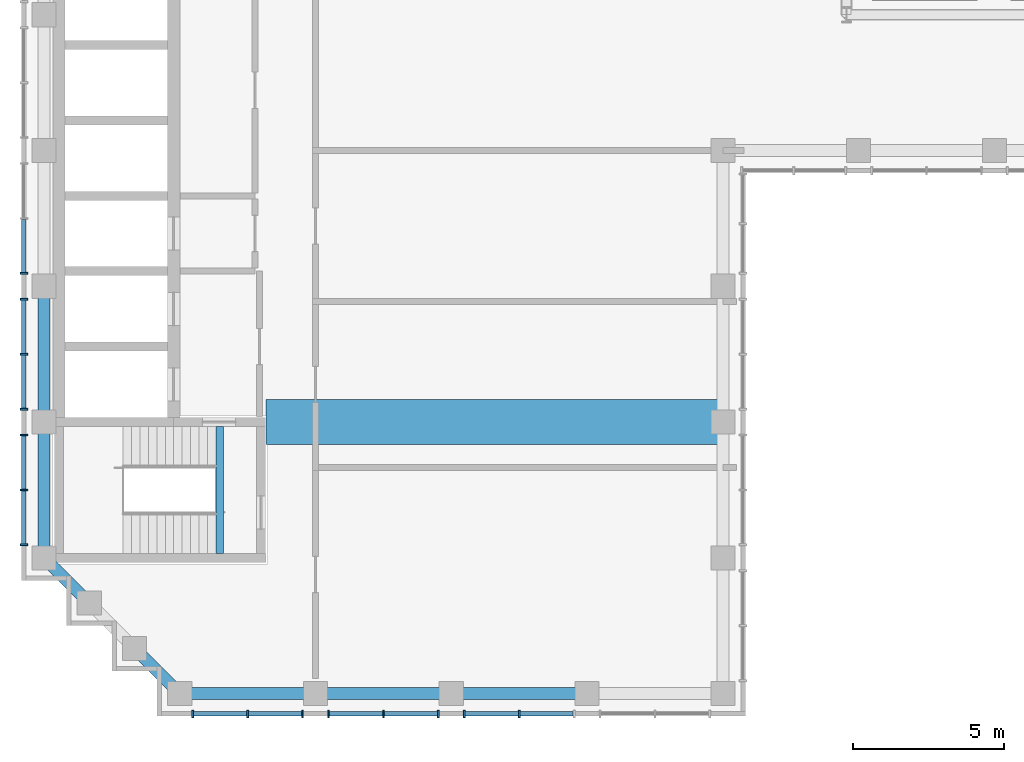
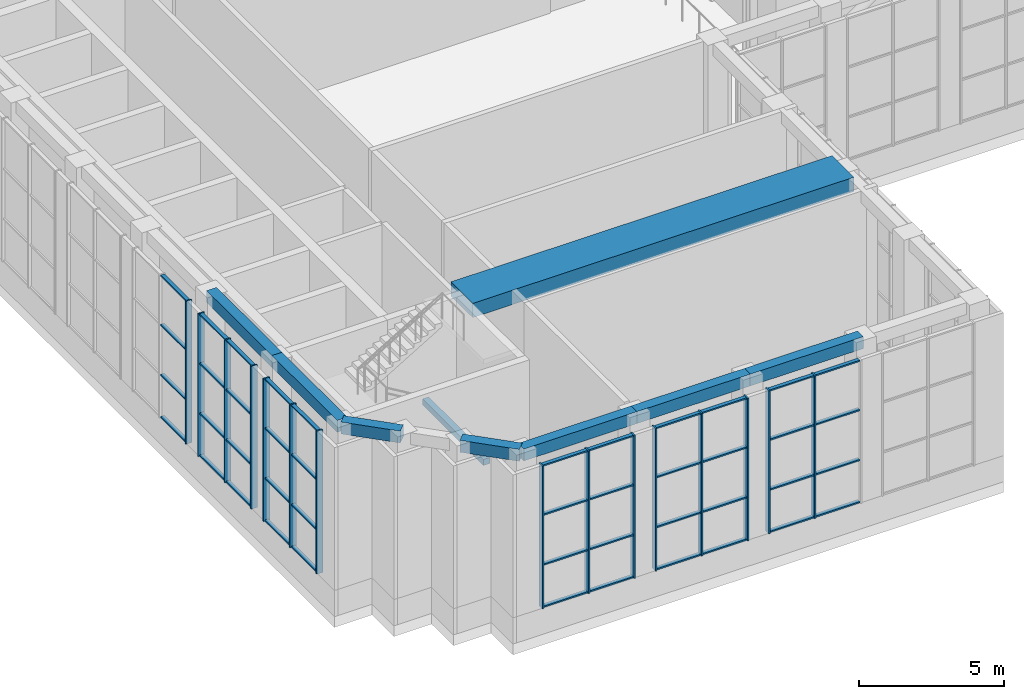
# One storey, part 2 of 17: 59 members, 9 beams, 6 elements without a shape of their own.
"""IFC4 building model written with IfcOpenShell, lengths in metres."""

from ifc_helpers import new_model, si_unit, direction, frame, origin, origin_2d, place, context, subcontext, project, spatial, rectangle, extrude, material, material_profile, profile_set, type_object, element, aggregate, save


model = new_model("IFC4")

# Units and contexts
model_context = context("Model", 3, precision=1e-05, world=origin(), true_north=direction((0.0, 1.0)))
body_context = subcontext(model_context, "Body", "Model", "MODEL_VIEW")
ifc_project = project(units=[si_unit("LENGTHUNIT", "METRE"), si_unit("AREAUNIT", "SQUARE_METRE"), si_unit("VOLUMEUNIT", "CUBIC_METRE"), si_unit("PLANEANGLEUNIT", "RADIAN"), si_unit("MASSUNIT", "GRAM", prefix="KILO")], contexts=[model_context])

# Site, building, storey
site_placement = place(None, origin())
site = spatial("IfcSite", under=ifc_project, at=site_placement, CompositionType="ELEMENT")
building_placement = place(site_placement, origin())
building = spatial("IfcBuilding", under=site, at=building_placement, Name="Firuza Court", CompositionType="ELEMENT")
storey_placement = place(building_placement, frame((0.0, 0.0, 258.199951171875)))
storey = spatial("IfcBuildingStorey", under=building, at=storey_placement, Name="L67", CompositionType="ELEMENT", Elevation=258.199951171875)

# Beams
ifc_material_1 = material(Name="Concrete C40/50", Category="concrete")
ifc_material_profile_1 = material_profile(ifc_material_1, rectangle(XDim=1.5, YDim=0.60009765625, at=origin_2d()), Name="RC 1500x600")
ifc_profile_set_1 = profile_set([ifc_material_profile_1], Name="Concrete C40/50")
beam_type_1 = type_object("IfcBeamType", Name="Band beam RC 1500x600 C40/50", PredefinedType="BEAM", material=ifc_profile_set_1)
beam_1_placement = place(storey_placement, frame((22.5, 27.0, 7.300048828125), z_axis=(-1.0, 0.0, 0.0), x_axis=(0.0, -1.0, 0.0)))
element("IfcBeam", 1, at=beam_1_placement, inside=storey, type_object=beam_type_1, Name="Band beam FB3 level L68", PredefinedType="BEAM", context=body_context, shape_type="SweptSolid", body=[
    extrude(rectangle(XDim=1.5, YDim=0.60009765625, at=origin_2d()), origin(), (0.0, 0.0, 1.0), 15.14990234375),
])
ifc_material_2 = material(Name="Concrete C40/50", Category="concrete")
ifc_material_profile_2 = material_profile(ifc_material_2, rectangle(XDim=0.25, YDim=0.25, at=origin_2d()), Name="RC 250x250")
ifc_profile_set_2 = profile_set([ifc_material_profile_2], Name="Concrete C40/50")
beam_type_2 = type_object("IfcBeamType", Name="Landing beam RC 250x250 C40/50", PredefinedType="BEAM", material=ifc_profile_set_2)
beam_2_placement = place(storey_placement, frame((5.824951171875, 22.64990234375, 3.675048828125), z_axis=(0.0, 1.0, 0.0), x_axis=(-1.0, 0.0, 0.0)))
element("IfcBeam", 2, at=beam_2_placement, inside=storey, type_object=beam_type_2, Name="Landing beam S2 L67", PredefinedType="BEAM", context=body_context, shape_type="SweptSolid", body=[
    extrude(rectangle(XDim=0.25, YDim=0.25, at=origin_2d()), origin(), (0.0, 0.0, 1.0), 4.2001953125),
])

# Curtain wall, members
ifc_material_3 = material(Name="Aluminium curtain wall, triple clear glazing", Category="aluminium")
curtain_wall_type = type_object("IfcCurtainWallType", Name="Damper hall structural glazing CW4", PredefinedType="NOTDEFINED", material=ifc_material_3)
curtain_wall_1_placement = place(storey_placement, origin())
curtain_wall_1 = element("IfcCurtainWall", 3, at=curtain_wall_1_placement, inside=storey, type_object=curtain_wall_type, Name="Damper hall structural glazing CW4 L67", PredefinedType="NOTDEFINED")
ifc_material_4 = material(Name="Aluminium EN AW-6060 T66", Category="aluminium")
ifc_material_profile_3 = material_profile(ifc_material_4, rectangle(XDim=0.25, YDim=0.06005859375, at=origin_2d()), Name="Mullion 250 x 60 CW4")
ifc_profile_set_3 = profile_set([ifc_material_profile_3], Name="Aluminium EN AW-6060 T66")
member_type_1 = type_object("IfcMemberType", Name="Mullion 250 x 60 CW4", PredefinedType="MULLION", material=ifc_profile_set_3)
member_1_placement = place(storey_placement, frame((4.929931640625, 17.330078125, 1.10009765625), z_axis=(0.0, 0.0, 1.0), x_axis=(0.0, 1.0, 0.0)))
member_1 = element("IfcMember", 4, at=member_1_placement, type_object=member_type_1, Name="CW4 mullion 1", PredefinedType="MULLION", context=body_context, shape_type="SweptSolid", body=[
    extrude(rectangle(XDim=0.25, YDim=0.06005859375, at=origin_2d()), origin(), (0.0, 0.0, 1.0), 6.0),
])
member_2_placement = place(storey_placement, frame((6.75, 17.330078125, 1.10009765625), z_axis=(0.0, 0.0, 1.0), x_axis=(0.0, 1.0, 0.0)))
member_2 = element("IfcMember", 5, at=member_2_placement, type_object=member_type_1, Name="CW4 mullion 2", PredefinedType="MULLION", context=body_context, shape_type="SweptSolid", body=[
    extrude(rectangle(XDim=0.25, YDim=0.06005859375, at=origin_2d()), origin(), (0.0, 0.0, 1.0), 6.0),
])
member_3_placement = place(storey_placement, frame((8.570068359375, 17.330078125, 1.10009765625), z_axis=(0.0, 0.0, 1.0), x_axis=(0.0, 1.0, 0.0)))
member_3 = element("IfcMember", 6, at=member_3_placement, type_object=member_type_1, Name="CW4 mullion 3", PredefinedType="MULLION", context=body_context, shape_type="SweptSolid", body=[
    extrude(rectangle(XDim=0.25, YDim=0.06005859375, at=origin_2d()), origin(), (0.0, 0.0, 1.0), 6.0),
])

curtain_wall_2_placement = place(storey_placement, origin())
curtain_wall_2 = element("IfcCurtainWall", 7, at=curtain_wall_2_placement, inside=storey, type_object=curtain_wall_type, Name="Damper hall structural glazing CW4 L67", PredefinedType="NOTDEFINED")
member_4_placement = place(storey_placement, frame((9.429931640625, 17.330078125, 1.10009765625), z_axis=(0.0, 0.0, 1.0), x_axis=(0.0, 1.0, 0.0)))
member_4 = element("IfcMember", 8, at=member_4_placement, type_object=member_type_1, Name="CW4 mullion 1", PredefinedType="MULLION", context=body_context, shape_type="SweptSolid", body=[
    extrude(rectangle(XDim=0.25, YDim=0.06005859375, at=origin_2d()), origin(), (0.0, 0.0, 1.0), 6.0),
])
member_5_placement = place(storey_placement, frame((11.25, 17.330078125, 1.10009765625), z_axis=(0.0, 0.0, 1.0), x_axis=(0.0, 1.0, 0.0)))
member_5 = element("IfcMember", 9, at=member_5_placement, type_object=member_type_1, Name="CW4 mullion 2", PredefinedType="MULLION", context=body_context, shape_type="SweptSolid", body=[
    extrude(rectangle(XDim=0.25, YDim=0.06005859375, at=origin_2d()), origin(), (0.0, 0.0, 1.0), 6.0),
])
member_6_placement = place(storey_placement, frame((13.070068359375, 17.330078125, 1.10009765625), z_axis=(0.0, 0.0, 1.0), x_axis=(0.0, 1.0, 0.0)))
member_6 = element("IfcMember", 10, at=member_6_placement, type_object=member_type_1, Name="CW4 mullion 3", PredefinedType="MULLION", context=body_context, shape_type="SweptSolid", body=[
    extrude(rectangle(XDim=0.25, YDim=0.06005859375, at=origin_2d()), origin(), (0.0, 0.0, 1.0), 6.0),
])

curtain_wall_3_placement = place(storey_placement, origin())
curtain_wall_3 = element("IfcCurtainWall", 11, at=curtain_wall_3_placement, inside=storey, type_object=curtain_wall_type, Name="Damper hall structural glazing CW4 L67", PredefinedType="NOTDEFINED")
member_7_placement = place(storey_placement, frame((13.929931640625, 17.330078125, 1.10009765625), z_axis=(0.0, 0.0, 1.0), x_axis=(0.0, 1.0, 0.0)))
member_7 = element("IfcMember", 12, at=member_7_placement, type_object=member_type_1, Name="CW4 mullion 1", PredefinedType="MULLION", context=body_context, shape_type="SweptSolid", body=[
    extrude(rectangle(XDim=0.25, YDim=0.06005859375, at=origin_2d()), origin(), (0.0, 0.0, 1.0), 6.0),
])
member_8_placement = place(storey_placement, frame((15.75, 17.330078125, 1.10009765625), z_axis=(0.0, 0.0, 1.0), x_axis=(0.0, 1.0, 0.0)))
member_8 = element("IfcMember", 13, at=member_8_placement, type_object=member_type_1, Name="CW4 mullion 2", PredefinedType="MULLION", context=body_context, shape_type="SweptSolid", body=[
    extrude(rectangle(XDim=0.25, YDim=0.06005859375, at=origin_2d()), origin(), (0.0, 0.0, 1.0), 6.0),
])

# Curtain wall, member
curtain_wall_4_placement = place(storey_placement, origin())
curtain_wall_4 = element("IfcCurtainWall", 14, at=curtain_wall_4_placement, inside=storey, type_object=curtain_wall_type, Name="Damper hall structural glazing CW4 L67", PredefinedType="NOTDEFINED")
member_9_placement = place(storey_placement, frame((-0.669921875, 31.929931640625, 1.10009765625), z_axis=(0.0, 0.0, 1.0), x_axis=(1.0, 0.0, 0.0)))
member_9 = element("IfcMember", 15, at=member_9_placement, type_object=member_type_1, Name="CW4 mullion 3", PredefinedType="MULLION", context=body_context, shape_type="SweptSolid", body=[
    extrude(rectangle(XDim=0.25, YDim=0.06005859375, at=origin_2d()), origin(), (0.0, 0.0, 1.0), 6.0),
])

# Curtain wall, members
curtain_wall_5_placement = place(storey_placement, origin())
curtain_wall_5 = element("IfcCurtainWall", 16, at=curtain_wall_5_placement, inside=storey, type_object=curtain_wall_type, Name="Damper hall structural glazing CW4 L67", PredefinedType="NOTDEFINED")
member_10_placement = place(storey_placement, frame((-0.669921875, 31.070068359375, 1.10009765625), z_axis=(0.0, 0.0, 1.0), x_axis=(1.0, 0.0, 0.0)))
member_10 = element("IfcMember", 17, at=member_10_placement, type_object=member_type_1, Name="CW4 mullion 1", PredefinedType="MULLION", context=body_context, shape_type="SweptSolid", body=[
    extrude(rectangle(XDim=0.25, YDim=0.06005859375, at=origin_2d()), origin(), (0.0, 0.0, 1.0), 6.0),
])
member_11_placement = place(storey_placement, frame((-0.669921875, 29.25, 1.10009765625), z_axis=(0.0, 0.0, 1.0), x_axis=(1.0, 0.0, 0.0)))
member_11 = element("IfcMember", 18, at=member_11_placement, type_object=member_type_1, Name="CW4 mullion 2", PredefinedType="MULLION", context=body_context, shape_type="SweptSolid", body=[
    extrude(rectangle(XDim=0.25, YDim=0.06005859375, at=origin_2d()), origin(), (0.0, 0.0, 1.0), 6.0),
])
member_12_placement = place(storey_placement, frame((-0.669921875, 27.429931640625, 1.10009765625), z_axis=(0.0, 0.0, 1.0), x_axis=(1.0, 0.0, 0.0)))
member_12 = element("IfcMember", 19, at=member_12_placement, type_object=member_type_1, Name="CW4 mullion 3", PredefinedType="MULLION", context=body_context, shape_type="SweptSolid", body=[
    extrude(rectangle(XDim=0.25, YDim=0.06005859375, at=origin_2d()), origin(), (0.0, 0.0, 1.0), 6.0),
])

curtain_wall_6_placement = place(storey_placement, origin())
curtain_wall_6 = element("IfcCurtainWall", 20, at=curtain_wall_6_placement, inside=storey, type_object=curtain_wall_type, Name="Damper hall structural glazing CW4 L67", PredefinedType="NOTDEFINED")
member_13_placement = place(storey_placement, frame((-0.669921875, 26.570068359375, 1.10009765625), z_axis=(0.0, 0.0, 1.0), x_axis=(1.0, 0.0, 0.0)))
member_13 = element("IfcMember", 21, at=member_13_placement, type_object=member_type_1, Name="CW4 mullion 1", PredefinedType="MULLION", context=body_context, shape_type="SweptSolid", body=[
    extrude(rectangle(XDim=0.25, YDim=0.06005859375, at=origin_2d()), origin(), (0.0, 0.0, 1.0), 6.0),
])
member_14_placement = place(storey_placement, frame((-0.669921875, 24.75, 1.10009765625), z_axis=(0.0, 0.0, 1.0), x_axis=(1.0, 0.0, 0.0)))
member_14 = element("IfcMember", 22, at=member_14_placement, type_object=member_type_1, Name="CW4 mullion 2", PredefinedType="MULLION", context=body_context, shape_type="SweptSolid", body=[
    extrude(rectangle(XDim=0.25, YDim=0.06005859375, at=origin_2d()), origin(), (0.0, 0.0, 1.0), 6.0),
])
member_15_placement = place(storey_placement, frame((-0.669921875, 22.929931640625, 1.10009765625), z_axis=(0.0, 0.0, 1.0), x_axis=(1.0, 0.0, 0.0)))
member_15 = element("IfcMember", 23, at=member_15_placement, type_object=member_type_1, Name="CW4 mullion 3", PredefinedType="MULLION", context=body_context, shape_type="SweptSolid", body=[
    extrude(rectangle(XDim=0.25, YDim=0.06005859375, at=origin_2d()), origin(), (0.0, 0.0, 1.0), 6.0),
])

# Beams
ifc_material_5 = material(Name="Concrete C40/50", Category="concrete")
ifc_material_profile_4 = material_profile(ifc_material_5, rectangle(XDim=0.39990234375, YDim=0.5, at=origin_2d()), Name="RC 400x500")
ifc_profile_set_4 = profile_set([ifc_material_profile_4], Name="Concrete C40/50")
beam_type_3 = type_object("IfcBeamType", Name="Spandrel beam RC 400x500 C40/50", PredefinedType="BEAM", material=ifc_profile_set_4)
beam_3_placement = place(storey_placement, frame((0.0, 22.5, 7.35009765625), z_axis=(0.707106781187, -0.707106781187, 0.0), x_axis=(0.707106781187, 0.707106781187, 0.0)))
element("IfcBeam", 24, at=beam_3_placement, inside=storey, type_object=beam_type_3, Name="Spandrel beam SP18 level L68", PredefinedType="BEAM", context=body_context, shape_type="SweptSolid", body=[
    extrude(rectangle(XDim=0.39990234375, YDim=0.5, at=origin_2d()), origin(), (0.0, 0.0, 1.0), 2.121337890625),
])
for number, where, z_axis, x_axis, name in (
    (25, (0.0, 27.0, 7.35009765625), (0.0, -1.0, 0.0), (1.0, 0.0, 0.0), "Spandrel beam SP18 level L68"),
    (26, (0.0, 31.5, 7.35009765625), (0.0, -1.0, 0.0), (1.0, 0.0, 0.0), "Spandrel beam SP18 level L68"),
):
    element("IfcBeam", number, at=place(storey_placement, frame(where, z_axis=z_axis, x_axis=x_axis)), inside=storey, type_object=beam_type_3, Name=name, PredefinedType="BEAM", context=body_context, shape_type="SweptSolid", body=[
        extrude(rectangle(XDim=0.39990234375, YDim=0.5, at=origin_2d()), origin(), (0.0, 0.0, 1.0), 4.5),
    ])
beam_4_placement = place(storey_placement, frame((3.0, 19.5, 7.35009765625), z_axis=(0.707106781187, -0.707106781187, 0.0), x_axis=(0.707106781187, 0.707106781187, 0.0)))
element("IfcBeam", 27, at=beam_4_placement, inside=storey, type_object=beam_type_3, Name="Spandrel beam SP18 level L68", PredefinedType="BEAM", context=body_context, shape_type="SweptSolid", body=[
    extrude(rectangle(XDim=0.39990234375, YDim=0.5, at=origin_2d()), origin(), (0.0, 0.0, 1.0), 2.121337890625),
])
for number, where, z_axis, x_axis, name in (
    (28, (4.5, 18.0, 7.35009765625), (1.0, 0.0, 0.0), (0.0, 1.0, 0.0), "Spandrel beam SP18 level L68"),
    (29, (9.0, 18.0, 7.35009765625), (1.0, 0.0, 0.0), (0.0, 1.0, 0.0), "Spandrel beam SP18 level L68"),
    (30, (13.5, 18.0, 7.35009765625), (1.0, 0.0, 0.0), (0.0, 1.0, 0.0), "Spandrel beam SP18 level L68"),
):
    element("IfcBeam", number, at=place(storey_placement, frame(where, z_axis=z_axis, x_axis=x_axis)), inside=storey, type_object=beam_type_3, Name=name, PredefinedType="BEAM", context=body_context, shape_type="SweptSolid", body=[
        extrude(rectangle(XDim=0.39990234375, YDim=0.5, at=origin_2d()), origin(), (0.0, 0.0, 1.0), 4.5),
    ])

# Member
ifc_material_6 = material(Name="Aluminium EN AW-6060 T66", Category="aluminium")
ifc_material_profile_5 = material_profile(ifc_material_6, rectangle(XDim=0.14990234375, YDim=0.06005859375, at=origin_2d()), Name="Transom 150 x 60 CW4")
ifc_profile_set_5 = profile_set([ifc_material_profile_5], Name="Aluminium EN AW-6060 T66")
member_type_2 = type_object("IfcMemberType", Name="Transom 150 x 60 CW4", PredefinedType="USERDEFINED", material=ifc_profile_set_5)
member_16_placement = place(storey_placement, frame((4.9599609375, 17.330078125, 1.130126953125), z_axis=(1.0, 0.0, 0.0), x_axis=(0.0, 1.0, 0.0)))
member_16 = element("IfcMember", 31, at=member_16_placement, type_object=member_type_2, Name="CW4 transom 1.1", ObjectType="TRANSOM", PredefinedType="USERDEFINED", context=body_context, shape_type="SweptSolid", body=[
    extrude(rectangle(XDim=0.14990234375, YDim=0.06005859375, at=origin_2d()), origin(), (0.0, 0.0, 1.0), 1.760009765625),
])

member_17_placement = place(storey_placement, frame((4.9599609375, 17.330078125, 2.900146484375), z_axis=(1.0, 0.0, 0.0), x_axis=(0.0, 1.0, 0.0)))
member_17 = element("IfcMember", 32, at=member_17_placement, type_object=member_type_2, Name="CW4 transom 1.2", ObjectType="TRANSOM", PredefinedType="USERDEFINED", context=body_context, shape_type="SweptSolid", body=[
    extrude(rectangle(XDim=0.14990234375, YDim=0.06005859375, at=origin_2d()), origin(), (0.0, 0.0, 1.0), 1.760009765625),
])

member_18_placement = place(storey_placement, frame((4.9599609375, 17.330078125, 5.0), z_axis=(1.0, 0.0, 0.0), x_axis=(0.0, 1.0, 0.0)))
member_18 = element("IfcMember", 33, at=member_18_placement, type_object=member_type_2, Name="CW4 transom 1.3", ObjectType="TRANSOM", PredefinedType="USERDEFINED", context=body_context, shape_type="SweptSolid", body=[
    extrude(rectangle(XDim=0.14990234375, YDim=0.06005859375, at=origin_2d()), origin(), (0.0, 0.0, 1.0), 1.760009765625),
])

member_19_placement = place(storey_placement, frame((4.9599609375, 17.330078125, 7.070068359375), z_axis=(1.0, 0.0, 0.0), x_axis=(0.0, 1.0, 0.0)))
member_19 = element("IfcMember", 34, at=member_19_placement, type_object=member_type_2, Name="CW4 transom 1.4", ObjectType="TRANSOM", PredefinedType="USERDEFINED", context=body_context, shape_type="SweptSolid", body=[
    extrude(rectangle(XDim=0.14990234375, YDim=0.06005859375, at=origin_2d()), origin(), (0.0, 0.0, 1.0), 1.760009765625),
])

member_20_placement = place(storey_placement, frame((6.780029296875, 17.330078125, 1.130126953125), z_axis=(1.0, 0.0, 0.0), x_axis=(0.0, 1.0, 0.0)))
member_20 = element("IfcMember", 35, at=member_20_placement, type_object=member_type_2, Name="CW4 transom 2.1", ObjectType="TRANSOM", PredefinedType="USERDEFINED", context=body_context, shape_type="SweptSolid", body=[
    extrude(rectangle(XDim=0.14990234375, YDim=0.06005859375, at=origin_2d()), origin(), (0.0, 0.0, 1.0), 1.760009765625),
])

member_21_placement = place(storey_placement, frame((6.780029296875, 17.330078125, 2.900146484375), z_axis=(1.0, 0.0, 0.0), x_axis=(0.0, 1.0, 0.0)))
member_21 = element("IfcMember", 36, at=member_21_placement, type_object=member_type_2, Name="CW4 transom 2.2", ObjectType="TRANSOM", PredefinedType="USERDEFINED", context=body_context, shape_type="SweptSolid", body=[
    extrude(rectangle(XDim=0.14990234375, YDim=0.06005859375, at=origin_2d()), origin(), (0.0, 0.0, 1.0), 1.760009765625),
])

member_22_placement = place(storey_placement, frame((6.780029296875, 17.330078125, 5.0), z_axis=(1.0, 0.0, 0.0), x_axis=(0.0, 1.0, 0.0)))
member_22 = element("IfcMember", 37, at=member_22_placement, type_object=member_type_2, Name="CW4 transom 2.3", ObjectType="TRANSOM", PredefinedType="USERDEFINED", context=body_context, shape_type="SweptSolid", body=[
    extrude(rectangle(XDim=0.14990234375, YDim=0.06005859375, at=origin_2d()), origin(), (0.0, 0.0, 1.0), 1.760009765625),
])

member_23_placement = place(storey_placement, frame((6.780029296875, 17.330078125, 7.070068359375), z_axis=(1.0, 0.0, 0.0), x_axis=(0.0, 1.0, 0.0)))
member_23 = element("IfcMember", 38, at=member_23_placement, type_object=member_type_2, Name="CW4 transom 2.4", ObjectType="TRANSOM", PredefinedType="USERDEFINED", context=body_context, shape_type="SweptSolid", body=[
    extrude(rectangle(XDim=0.14990234375, YDim=0.06005859375, at=origin_2d()), origin(), (0.0, 0.0, 1.0), 1.760009765625),
])

aggregate(curtain_wall_1, [member_1, member_2, member_3, member_16, member_17, member_18, member_19, member_20, member_21, member_22, member_23])

member_24_placement = place(storey_placement, frame((9.4599609375, 17.330078125, 1.130126953125), z_axis=(1.0, 0.0, 0.0), x_axis=(0.0, 1.0, 0.0)))
member_24 = element("IfcMember", 39, at=member_24_placement, type_object=member_type_2, Name="CW4 transom 1.1", ObjectType="TRANSOM", PredefinedType="USERDEFINED", context=body_context, shape_type="SweptSolid", body=[
    extrude(rectangle(XDim=0.14990234375, YDim=0.06005859375, at=origin_2d()), origin(), (0.0, 0.0, 1.0), 1.760009765625),
])

member_25_placement = place(storey_placement, frame((9.4599609375, 17.330078125, 2.900146484375), z_axis=(1.0, 0.0, 0.0), x_axis=(0.0, 1.0, 0.0)))
member_25 = element("IfcMember", 40, at=member_25_placement, type_object=member_type_2, Name="CW4 transom 1.2", ObjectType="TRANSOM", PredefinedType="USERDEFINED", context=body_context, shape_type="SweptSolid", body=[
    extrude(rectangle(XDim=0.14990234375, YDim=0.06005859375, at=origin_2d()), origin(), (0.0, 0.0, 1.0), 1.760009765625),
])

member_26_placement = place(storey_placement, frame((9.4599609375, 17.330078125, 5.0), z_axis=(1.0, 0.0, 0.0), x_axis=(0.0, 1.0, 0.0)))
member_26 = element("IfcMember", 41, at=member_26_placement, type_object=member_type_2, Name="CW4 transom 1.3", ObjectType="TRANSOM", PredefinedType="USERDEFINED", context=body_context, shape_type="SweptSolid", body=[
    extrude(rectangle(XDim=0.14990234375, YDim=0.06005859375, at=origin_2d()), origin(), (0.0, 0.0, 1.0), 1.760009765625),
])

member_27_placement = place(storey_placement, frame((9.4599609375, 17.330078125, 7.070068359375), z_axis=(1.0, 0.0, 0.0), x_axis=(0.0, 1.0, 0.0)))
member_27 = element("IfcMember", 42, at=member_27_placement, type_object=member_type_2, Name="CW4 transom 1.4", ObjectType="TRANSOM", PredefinedType="USERDEFINED", context=body_context, shape_type="SweptSolid", body=[
    extrude(rectangle(XDim=0.14990234375, YDim=0.06005859375, at=origin_2d()), origin(), (0.0, 0.0, 1.0), 1.760009765625),
])

member_28_placement = place(storey_placement, frame((11.280029296875, 17.330078125, 1.130126953125), z_axis=(1.0, 0.0, 0.0), x_axis=(0.0, 1.0, 0.0)))
member_28 = element("IfcMember", 43, at=member_28_placement, type_object=member_type_2, Name="CW4 transom 2.1", ObjectType="TRANSOM", PredefinedType="USERDEFINED", context=body_context, shape_type="SweptSolid", body=[
    extrude(rectangle(XDim=0.14990234375, YDim=0.06005859375, at=origin_2d()), origin(), (0.0, 0.0, 1.0), 1.760009765625),
])

member_29_placement = place(storey_placement, frame((11.280029296875, 17.330078125, 2.900146484375), z_axis=(1.0, 0.0, 0.0), x_axis=(0.0, 1.0, 0.0)))
member_29 = element("IfcMember", 44, at=member_29_placement, type_object=member_type_2, Name="CW4 transom 2.2", ObjectType="TRANSOM", PredefinedType="USERDEFINED", context=body_context, shape_type="SweptSolid", body=[
    extrude(rectangle(XDim=0.14990234375, YDim=0.06005859375, at=origin_2d()), origin(), (0.0, 0.0, 1.0), 1.760009765625),
])

member_30_placement = place(storey_placement, frame((11.280029296875, 17.330078125, 5.0), z_axis=(1.0, 0.0, 0.0), x_axis=(0.0, 1.0, 0.0)))
member_30 = element("IfcMember", 45, at=member_30_placement, type_object=member_type_2, Name="CW4 transom 2.3", ObjectType="TRANSOM", PredefinedType="USERDEFINED", context=body_context, shape_type="SweptSolid", body=[
    extrude(rectangle(XDim=0.14990234375, YDim=0.06005859375, at=origin_2d()), origin(), (0.0, 0.0, 1.0), 1.760009765625),
])

member_31_placement = place(storey_placement, frame((11.280029296875, 17.330078125, 7.070068359375), z_axis=(1.0, 0.0, 0.0), x_axis=(0.0, 1.0, 0.0)))
member_31 = element("IfcMember", 46, at=member_31_placement, type_object=member_type_2, Name="CW4 transom 2.4", ObjectType="TRANSOM", PredefinedType="USERDEFINED", context=body_context, shape_type="SweptSolid", body=[
    extrude(rectangle(XDim=0.14990234375, YDim=0.06005859375, at=origin_2d()), origin(), (0.0, 0.0, 1.0), 1.760009765625),
])

aggregate(curtain_wall_2, [member_4, member_5, member_6, member_24, member_25, member_26, member_27, member_28, member_29, member_30, member_31])

member_32_placement = place(storey_placement, frame((13.9599609375, 17.330078125, 1.130126953125), z_axis=(1.0, 0.0, 0.0), x_axis=(0.0, 1.0, 0.0)))
member_32 = element("IfcMember", 47, at=member_32_placement, type_object=member_type_2, Name="CW4 transom 1.1", ObjectType="TRANSOM", PredefinedType="USERDEFINED", context=body_context, shape_type="SweptSolid", body=[
    extrude(rectangle(XDim=0.14990234375, YDim=0.06005859375, at=origin_2d()), origin(), (0.0, 0.0, 1.0), 1.760009765625),
])

member_33_placement = place(storey_placement, frame((13.9599609375, 17.330078125, 2.900146484375), z_axis=(1.0, 0.0, 0.0), x_axis=(0.0, 1.0, 0.0)))
member_33 = element("IfcMember", 48, at=member_33_placement, type_object=member_type_2, Name="CW4 transom 1.2", ObjectType="TRANSOM", PredefinedType="USERDEFINED", context=body_context, shape_type="SweptSolid", body=[
    extrude(rectangle(XDim=0.14990234375, YDim=0.06005859375, at=origin_2d()), origin(), (0.0, 0.0, 1.0), 1.760009765625),
])

member_34_placement = place(storey_placement, frame((13.9599609375, 17.330078125, 5.0), z_axis=(1.0, 0.0, 0.0), x_axis=(0.0, 1.0, 0.0)))
member_34 = element("IfcMember", 49, at=member_34_placement, type_object=member_type_2, Name="CW4 transom 1.3", ObjectType="TRANSOM", PredefinedType="USERDEFINED", context=body_context, shape_type="SweptSolid", body=[
    extrude(rectangle(XDim=0.14990234375, YDim=0.06005859375, at=origin_2d()), origin(), (0.0, 0.0, 1.0), 1.760009765625),
])

member_35_placement = place(storey_placement, frame((13.9599609375, 17.330078125, 7.070068359375), z_axis=(1.0, 0.0, 0.0), x_axis=(0.0, 1.0, 0.0)))
member_35 = element("IfcMember", 50, at=member_35_placement, type_object=member_type_2, Name="CW4 transom 1.4", ObjectType="TRANSOM", PredefinedType="USERDEFINED", context=body_context, shape_type="SweptSolid", body=[
    extrude(rectangle(XDim=0.14990234375, YDim=0.06005859375, at=origin_2d()), origin(), (0.0, 0.0, 1.0), 1.760009765625),
])

member_36_placement = place(storey_placement, frame((15.780029296875, 17.330078125, 1.130126953125), z_axis=(1.0, 0.0, 0.0), x_axis=(0.0, 1.0, 0.0)))
member_36 = element("IfcMember", 51, at=member_36_placement, type_object=member_type_2, Name="CW4 transom 2.1", ObjectType="TRANSOM", PredefinedType="USERDEFINED", context=body_context, shape_type="SweptSolid", body=[
    extrude(rectangle(XDim=0.14990234375, YDim=0.06005859375, at=origin_2d()), origin(), (0.0, 0.0, 1.0), 1.760009765625),
])

member_37_placement = place(storey_placement, frame((15.780029296875, 17.330078125, 2.900146484375), z_axis=(1.0, 0.0, 0.0), x_axis=(0.0, 1.0, 0.0)))
member_37 = element("IfcMember", 52, at=member_37_placement, type_object=member_type_2, Name="CW4 transom 2.2", ObjectType="TRANSOM", PredefinedType="USERDEFINED", context=body_context, shape_type="SweptSolid", body=[
    extrude(rectangle(XDim=0.14990234375, YDim=0.06005859375, at=origin_2d()), origin(), (0.0, 0.0, 1.0), 1.760009765625),
])

member_38_placement = place(storey_placement, frame((15.780029296875, 17.330078125, 5.0), z_axis=(1.0, 0.0, 0.0), x_axis=(0.0, 1.0, 0.0)))
member_38 = element("IfcMember", 53, at=member_38_placement, type_object=member_type_2, Name="CW4 transom 2.3", ObjectType="TRANSOM", PredefinedType="USERDEFINED", context=body_context, shape_type="SweptSolid", body=[
    extrude(rectangle(XDim=0.14990234375, YDim=0.06005859375, at=origin_2d()), origin(), (0.0, 0.0, 1.0), 1.760009765625),
])

member_39_placement = place(storey_placement, frame((15.780029296875, 17.330078125, 7.070068359375), z_axis=(1.0, 0.0, 0.0), x_axis=(0.0, 1.0, 0.0)))
member_39 = element("IfcMember", 54, at=member_39_placement, type_object=member_type_2, Name="CW4 transom 2.4", ObjectType="TRANSOM", PredefinedType="USERDEFINED", context=body_context, shape_type="SweptSolid", body=[
    extrude(rectangle(XDim=0.14990234375, YDim=0.06005859375, at=origin_2d()), origin(), (0.0, 0.0, 1.0), 1.760009765625),
])

aggregate(curtain_wall_3, [member_7, member_8, member_32, member_33, member_34, member_35, member_36, member_37, member_38, member_39])

member_40_placement = place(storey_placement, frame((-0.669921875, 33.719970703125, 1.130126953125), z_axis=(0.0, -1.0, 0.0), x_axis=(1.0, 0.0, 0.0)))
member_40 = element("IfcMember", 55, at=member_40_placement, type_object=member_type_2, Name="CW4 transom 2.1", ObjectType="TRANSOM", PredefinedType="USERDEFINED", context=body_context, shape_type="SweptSolid", body=[
    extrude(rectangle(XDim=0.14990234375, YDim=0.06005859375, at=origin_2d()), origin(), (0.0, 0.0, 1.0), 1.760009765625),
])

member_41_placement = place(storey_placement, frame((-0.669921875, 33.719970703125, 2.900146484375), z_axis=(0.0, -1.0, 0.0), x_axis=(1.0, 0.0, 0.0)))
member_41 = element("IfcMember", 56, at=member_41_placement, type_object=member_type_2, Name="CW4 transom 2.2", ObjectType="TRANSOM", PredefinedType="USERDEFINED", context=body_context, shape_type="SweptSolid", body=[
    extrude(rectangle(XDim=0.14990234375, YDim=0.06005859375, at=origin_2d()), origin(), (0.0, 0.0, 1.0), 1.760009765625),
])

member_42_placement = place(storey_placement, frame((-0.669921875, 33.719970703125, 5.0), z_axis=(0.0, -1.0, 0.0), x_axis=(1.0, 0.0, 0.0)))
member_42 = element("IfcMember", 57, at=member_42_placement, type_object=member_type_2, Name="CW4 transom 2.3", ObjectType="TRANSOM", PredefinedType="USERDEFINED", context=body_context, shape_type="SweptSolid", body=[
    extrude(rectangle(XDim=0.14990234375, YDim=0.06005859375, at=origin_2d()), origin(), (0.0, 0.0, 1.0), 1.760009765625),
])

member_43_placement = place(storey_placement, frame((-0.669921875, 33.719970703125, 7.070068359375), z_axis=(0.0, -1.0, 0.0), x_axis=(1.0, 0.0, 0.0)))
member_43 = element("IfcMember", 58, at=member_43_placement, type_object=member_type_2, Name="CW4 transom 2.4", ObjectType="TRANSOM", PredefinedType="USERDEFINED", context=body_context, shape_type="SweptSolid", body=[
    extrude(rectangle(XDim=0.14990234375, YDim=0.06005859375, at=origin_2d()), origin(), (0.0, 0.0, 1.0), 1.760009765625),
])

aggregate(curtain_wall_4, [member_9, member_40, member_41, member_42, member_43])

member_44_placement = place(storey_placement, frame((-0.669921875, 31.0400390625, 1.130126953125), z_axis=(0.0, -1.0, 0.0), x_axis=(1.0, 0.0, 0.0)))
member_44 = element("IfcMember", 59, at=member_44_placement, type_object=member_type_2, Name="CW4 transom 1.1", ObjectType="TRANSOM", PredefinedType="USERDEFINED", context=body_context, shape_type="SweptSolid", body=[
    extrude(rectangle(XDim=0.14990234375, YDim=0.06005859375, at=origin_2d()), origin(), (0.0, 0.0, 1.0), 1.760009765625),
])

member_45_placement = place(storey_placement, frame((-0.669921875, 31.0400390625, 2.900146484375), z_axis=(0.0, -1.0, 0.0), x_axis=(1.0, 0.0, 0.0)))
member_45 = element("IfcMember", 60, at=member_45_placement, type_object=member_type_2, Name="CW4 transom 1.2", ObjectType="TRANSOM", PredefinedType="USERDEFINED", context=body_context, shape_type="SweptSolid", body=[
    extrude(rectangle(XDim=0.14990234375, YDim=0.06005859375, at=origin_2d()), origin(), (0.0, 0.0, 1.0), 1.760009765625),
])

member_46_placement = place(storey_placement, frame((-0.669921875, 31.0400390625, 5.0), z_axis=(0.0, -1.0, 0.0), x_axis=(1.0, 0.0, 0.0)))
member_46 = element("IfcMember", 61, at=member_46_placement, type_object=member_type_2, Name="CW4 transom 1.3", ObjectType="TRANSOM", PredefinedType="USERDEFINED", context=body_context, shape_type="SweptSolid", body=[
    extrude(rectangle(XDim=0.14990234375, YDim=0.06005859375, at=origin_2d()), origin(), (0.0, 0.0, 1.0), 1.760009765625),
])

member_47_placement = place(storey_placement, frame((-0.669921875, 31.0400390625, 7.070068359375), z_axis=(0.0, -1.0, 0.0), x_axis=(1.0, 0.0, 0.0)))
member_47 = element("IfcMember", 62, at=member_47_placement, type_object=member_type_2, Name="CW4 transom 1.4", ObjectType="TRANSOM", PredefinedType="USERDEFINED", context=body_context, shape_type="SweptSolid", body=[
    extrude(rectangle(XDim=0.14990234375, YDim=0.06005859375, at=origin_2d()), origin(), (0.0, 0.0, 1.0), 1.760009765625),
])

member_48_placement = place(storey_placement, frame((-0.669921875, 29.219970703125, 1.130126953125), z_axis=(0.0, -1.0, 0.0), x_axis=(1.0, 0.0, 0.0)))
member_48 = element("IfcMember", 63, at=member_48_placement, type_object=member_type_2, Name="CW4 transom 2.1", ObjectType="TRANSOM", PredefinedType="USERDEFINED", context=body_context, shape_type="SweptSolid", body=[
    extrude(rectangle(XDim=0.14990234375, YDim=0.06005859375, at=origin_2d()), origin(), (0.0, 0.0, 1.0), 1.760009765625),
])

member_49_placement = place(storey_placement, frame((-0.669921875, 29.219970703125, 2.900146484375), z_axis=(0.0, -1.0, 0.0), x_axis=(1.0, 0.0, 0.0)))
member_49 = element("IfcMember", 64, at=member_49_placement, type_object=member_type_2, Name="CW4 transom 2.2", ObjectType="TRANSOM", PredefinedType="USERDEFINED", context=body_context, shape_type="SweptSolid", body=[
    extrude(rectangle(XDim=0.14990234375, YDim=0.06005859375, at=origin_2d()), origin(), (0.0, 0.0, 1.0), 1.760009765625),
])

member_50_placement = place(storey_placement, frame((-0.669921875, 29.219970703125, 5.0), z_axis=(0.0, -1.0, 0.0), x_axis=(1.0, 0.0, 0.0)))
member_50 = element("IfcMember", 65, at=member_50_placement, type_object=member_type_2, Name="CW4 transom 2.3", ObjectType="TRANSOM", PredefinedType="USERDEFINED", context=body_context, shape_type="SweptSolid", body=[
    extrude(rectangle(XDim=0.14990234375, YDim=0.06005859375, at=origin_2d()), origin(), (0.0, 0.0, 1.0), 1.760009765625),
])

member_51_placement = place(storey_placement, frame((-0.669921875, 29.219970703125, 7.070068359375), z_axis=(0.0, -1.0, 0.0), x_axis=(1.0, 0.0, 0.0)))
member_51 = element("IfcMember", 66, at=member_51_placement, type_object=member_type_2, Name="CW4 transom 2.4", ObjectType="TRANSOM", PredefinedType="USERDEFINED", context=body_context, shape_type="SweptSolid", body=[
    extrude(rectangle(XDim=0.14990234375, YDim=0.06005859375, at=origin_2d()), origin(), (0.0, 0.0, 1.0), 1.760009765625),
])

aggregate(curtain_wall_5, [member_10, member_11, member_12, member_44, member_45, member_46, member_47, member_48, member_49, member_50, member_51])

member_52_placement = place(storey_placement, frame((-0.669921875, 26.5400390625, 1.130126953125), z_axis=(0.0, -1.0, 0.0), x_axis=(1.0, 0.0, 0.0)))
member_52 = element("IfcMember", 67, at=member_52_placement, type_object=member_type_2, Name="CW4 transom 1.1", ObjectType="TRANSOM", PredefinedType="USERDEFINED", context=body_context, shape_type="SweptSolid", body=[
    extrude(rectangle(XDim=0.14990234375, YDim=0.06005859375, at=origin_2d()), origin(), (0.0, 0.0, 1.0), 1.760009765625),
])

member_53_placement = place(storey_placement, frame((-0.669921875, 26.5400390625, 2.900146484375), z_axis=(0.0, -1.0, 0.0), x_axis=(1.0, 0.0, 0.0)))
member_53 = element("IfcMember", 68, at=member_53_placement, type_object=member_type_2, Name="CW4 transom 1.2", ObjectType="TRANSOM", PredefinedType="USERDEFINED", context=body_context, shape_type="SweptSolid", body=[
    extrude(rectangle(XDim=0.14990234375, YDim=0.06005859375, at=origin_2d()), origin(), (0.0, 0.0, 1.0), 1.760009765625),
])

member_54_placement = place(storey_placement, frame((-0.669921875, 26.5400390625, 5.0), z_axis=(0.0, -1.0, 0.0), x_axis=(1.0, 0.0, 0.0)))
member_54 = element("IfcMember", 69, at=member_54_placement, type_object=member_type_2, Name="CW4 transom 1.3", ObjectType="TRANSOM", PredefinedType="USERDEFINED", context=body_context, shape_type="SweptSolid", body=[
    extrude(rectangle(XDim=0.14990234375, YDim=0.06005859375, at=origin_2d()), origin(), (0.0, 0.0, 1.0), 1.760009765625),
])

member_55_placement = place(storey_placement, frame((-0.669921875, 26.5400390625, 7.070068359375), z_axis=(0.0, -1.0, 0.0), x_axis=(1.0, 0.0, 0.0)))
member_55 = element("IfcMember", 70, at=member_55_placement, type_object=member_type_2, Name="CW4 transom 1.4", ObjectType="TRANSOM", PredefinedType="USERDEFINED", context=body_context, shape_type="SweptSolid", body=[
    extrude(rectangle(XDim=0.14990234375, YDim=0.06005859375, at=origin_2d()), origin(), (0.0, 0.0, 1.0), 1.760009765625),
])

member_56_placement = place(storey_placement, frame((-0.669921875, 24.719970703125, 1.130126953125), z_axis=(0.0, -1.0, 0.0), x_axis=(1.0, 0.0, 0.0)))
member_56 = element("IfcMember", 71, at=member_56_placement, type_object=member_type_2, Name="CW4 transom 2.1", ObjectType="TRANSOM", PredefinedType="USERDEFINED", context=body_context, shape_type="SweptSolid", body=[
    extrude(rectangle(XDim=0.14990234375, YDim=0.06005859375, at=origin_2d()), origin(), (0.0, 0.0, 1.0), 1.760009765625),
])

member_57_placement = place(storey_placement, frame((-0.669921875, 24.719970703125, 2.900146484375), z_axis=(0.0, -1.0, 0.0), x_axis=(1.0, 0.0, 0.0)))
member_57 = element("IfcMember", 72, at=member_57_placement, type_object=member_type_2, Name="CW4 transom 2.2", ObjectType="TRANSOM", PredefinedType="USERDEFINED", context=body_context, shape_type="SweptSolid", body=[
    extrude(rectangle(XDim=0.14990234375, YDim=0.06005859375, at=origin_2d()), origin(), (0.0, 0.0, 1.0), 1.760009765625),
])

member_58_placement = place(storey_placement, frame((-0.669921875, 24.719970703125, 5.0), z_axis=(0.0, -1.0, 0.0), x_axis=(1.0, 0.0, 0.0)))
member_58 = element("IfcMember", 73, at=member_58_placement, type_object=member_type_2, Name="CW4 transom 2.3", ObjectType="TRANSOM", PredefinedType="USERDEFINED", context=body_context, shape_type="SweptSolid", body=[
    extrude(rectangle(XDim=0.14990234375, YDim=0.06005859375, at=origin_2d()), origin(), (0.0, 0.0, 1.0), 1.760009765625),
])

member_59_placement = place(storey_placement, frame((-0.669921875, 24.719970703125, 7.070068359375), z_axis=(0.0, -1.0, 0.0), x_axis=(1.0, 0.0, 0.0)))
member_59 = element("IfcMember", 74, at=member_59_placement, type_object=member_type_2, Name="CW4 transom 2.4", ObjectType="TRANSOM", PredefinedType="USERDEFINED", context=body_context, shape_type="SweptSolid", body=[
    extrude(rectangle(XDim=0.14990234375, YDim=0.06005859375, at=origin_2d()), origin(), (0.0, 0.0, 1.0), 1.760009765625),
])

aggregate(curtain_wall_6, [member_13, member_14, member_15, member_52, member_53, member_54, member_55, member_56, member_57, member_58, member_59])

save(model, "model.ifc")
